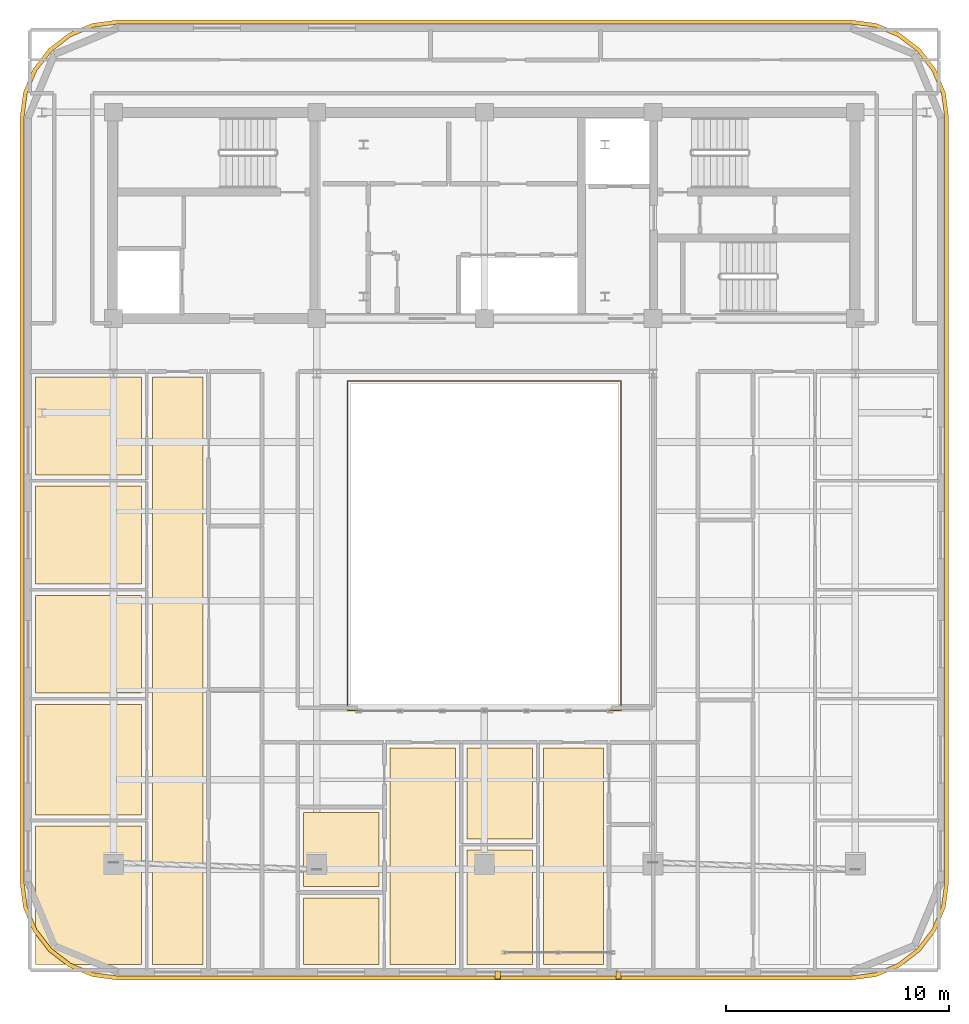
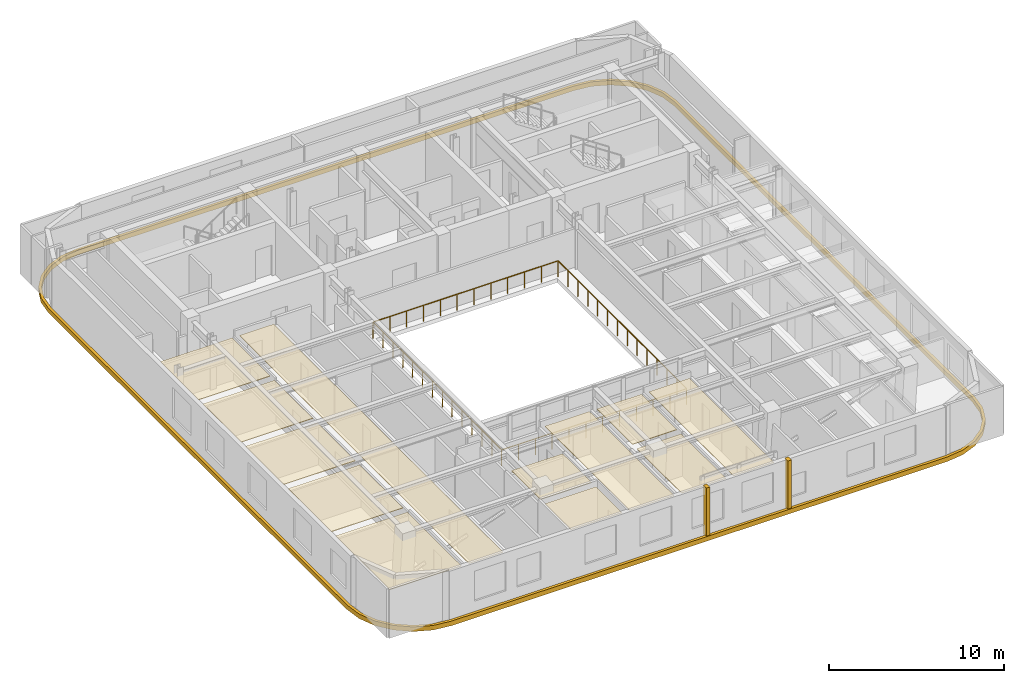
# One storey, part 12 of 14: 15 coverings, 1 railing.
"""IFC4 building model written with IfcOpenShell, lengths in metres."""

import ifcopenshell
import ifcopenshell.guid

model = None  # the IFC model being written
_history = None  # IfcOwnerHistory: only IFC2X3 demands one
_inside = {}  # id of a spatial element -> (the spatial element, [elements in it])
_under = {}  # id of a project, library or spatial element -> (it, [spatial elements below it])
_declared = {}  # id of a project -> (the project, [libraries it declares])
_typed = {}  # id of a type object -> (the type object, [elements of that type])
_made_of = {}  # id of a material, layer set ... -> (it, [elements and type objects made of it])


def new_model(schema):
    """Start an empty IFC model of exactly this schema.

    Asked for "IFC4X3", IfcOpenShell would pick the latest addendum, in which some entities
    have other attributes; the version numbers below select the first issue.
    IFC2X3 requires an IfcOwnerHistory on every rooted entity: one is made here for all.
    """
    global model, _history
    if schema == "IFC4X3":
        model = ifcopenshell.file(schema_version=(4, 3, 0, 0))
    else:
        model = ifcopenshell.file(schema=schema)
    _inside.clear()
    _under.clear()
    _declared.clear()
    _typed.clear()
    _made_of.clear()
    _history = None
    if model.schema == "IFC2X3":
        org = make("IfcOrganization", Name="unknown")
        user = make(
            "IfcPersonAndOrganization",
            ThePerson=make("IfcPerson", FamilyName="unknown"),
            TheOrganization=org,
        )
        app = make(
            "IfcApplication",
            ApplicationDeveloper=org,
            Version="unknown",
            ApplicationFullName="unknown",
            ApplicationIdentifier="unknown",
        )
        _history = make(
            "IfcOwnerHistory",
            OwningUser=user,
            OwningApplication=app,
            ChangeAction="ADDED",
            CreationDate=0,
        )
    return model


def make(cls, **values):
    """One entity of the class cls with the attributes given. An attribute that is None is left unset."""
    return model.create_entity(
        cls, **{name: value for name, value in values.items() if value is not None}
    )


def rooted(cls, **values):
    """An entity with a GlobalId (a new one), such as an element, a storey or a relation."""
    return make(cls, GlobalId=ifcopenshell.guid.new(), OwnerHistory=_history, **values)


def si_unit(unit_type, name, prefix=None):
    """IfcSIUnit, for example si_unit("LENGTHUNIT", "METRE", prefix="MILLI")."""
    return make("IfcSIUnit", UnitType=unit_type, Prefix=prefix, Name=name)


def assignment(units):
    """IfcUnitAssignment: the units of a project."""
    return None if units is None else make("IfcUnitAssignment", Units=units)


def point(xyz):
    """IfcCartesianPoint."""
    return None if xyz is None else make("IfcCartesianPoint", Coordinates=xyz)


def direction(xyz):
    """IfcDirection."""
    return None if xyz is None else make("IfcDirection", DirectionRatios=xyz)


def frame(location, z_axis=None, x_axis=None):
    """IfcAxis2Placement3D, a coordinate frame: its origin and axes. An axis left out is left unset."""
    return make(
        "IfcAxis2Placement3D",
        Location=point(location),
        Axis=direction(z_axis),
        RefDirection=direction(x_axis),
    )


def frame_2d(location, x_axis=None):
    """IfcAxis2Placement2D, a coordinate frame in the plane: its origin and x axis."""
    return make(
        "IfcAxis2Placement2D", Location=point(location), RefDirection=direction(x_axis)
    )


def origin():
    """The frame at (0, 0, 0) with its axes left unset."""
    return frame((0.0, 0.0, 0.0))


def origin_2d():
    """The frame at (0, 0) in the plane with its x axis left unset."""
    return frame_2d((0.0, 0.0))


def place(relative_to, where):
    """IfcLocalPlacement: puts the frame where relative to a parent placement (None: the world)."""
    return make(
        "IfcLocalPlacement", PlacementRelTo=relative_to, RelativePlacement=where
    )


def context(
    kind, dimensions, precision=None, world=None, true_north=None, identifier=None
):
    """IfcGeometricRepresentationContext, for example the 3D "Model" context."""
    return make(
        "IfcGeometricRepresentationContext",
        ContextIdentifier=identifier,
        ContextType=kind,
        CoordinateSpaceDimension=dimensions,
        Precision=precision,
        WorldCoordinateSystem=world,
        TrueNorth=true_north,
    )


def subcontext(parent, identifier, kind, view, scale=None):
    """IfcGeometricRepresentationSubContext, for example "Body" below "Model"."""
    return make(
        "IfcGeometricRepresentationSubContext",
        ContextIdentifier=identifier,
        ContextType=kind,
        ParentContext=parent,
        TargetScale=scale,
        TargetView=view,
    )


def project(units=None, contexts=None):
    """IfcProject with its units and contexts."""
    return rooted(
        "IfcProject",
        Name="project",
        RepresentationContexts=contexts,
        UnitsInContext=assignment(units),
    )


def spatial(cls, under=None, at=None, **own):
    """A site, building, storey or space (cls), placed at a placement, below another one or the project."""
    s = rooted(cls, ObjectPlacement=at, **own)
    if under is not None:
        _under.setdefault(under.id(), (under, []))[1].append(s)
    return s


def polyline(points):
    """IfcPolyline through the points."""
    return make("IfcPolyline", Points=[point(p) for p in points])


def profile(cls, at=None, kind="AREA", **sizes):
    """A parametric profile (cls). Its sizes go by their IFC names, for example OverallWidth=200.0."""
    return make(cls, ProfileType=kind, Position=at, **sizes)


def rectangle(**sizes):
    """IfcRectangleProfileDef."""
    return profile("IfcRectangleProfileDef", **sizes)


def outline(outer, holes=None, kind="AREA"):
    """IfcArbitraryClosedProfileDef: a profile drawn as a closed curve; with holes, ...WithVoids."""
    if holes is None:
        return make("IfcArbitraryClosedProfileDef", ProfileType=kind, OuterCurve=outer)
    return make(
        "IfcArbitraryProfileDefWithVoids",
        ProfileType=kind,
        OuterCurve=outer,
        InnerCurves=holes,
    )


def extrude(swept, where, along, depth):
    """IfcExtrudedAreaSolid: the profile swept, set in the frame where, extruded along a direction by depth."""
    return make(
        "IfcExtrudedAreaSolid",
        SweptArea=swept,
        Position=where,
        ExtrudedDirection=direction(along),
        Depth=depth,
    )


def shape(context_of_items, identifier, shape_type, items):
    """IfcShapeRepresentation: the items that make up one representation, for example the "Body"."""
    return make(
        "IfcShapeRepresentation",
        ContextOfItems=context_of_items,
        RepresentationIdentifier=identifier,
        RepresentationType=shape_type,
        Items=items,
    )


def material(Name=None, Category=None):
    """IfcMaterial."""
    return make("IfcMaterial", Name=Name, Category=Category)


def layer(
    of_material, thickness, ventilated=None, Name=None, Category=None, Priority=None
):
    """IfcMaterialLayer: one layer of a wall or slab, of a material (None: an air gap)."""
    return make(
        "IfcMaterialLayer",
        Material=of_material,
        LayerThickness=thickness,
        IsVentilated=ventilated,
        Name=Name,
        Category=Category,
        Priority=Priority,
    )


def layer_set(layers, Name=None):
    """IfcMaterialLayerSet."""
    return make("IfcMaterialLayerSet", MaterialLayers=layers, LayerSetName=Name)


def made_of(thing, what):
    """Note that an element or type object is made of a material, layer set ...; save() writes the relation."""
    if what is not None:
        _made_of.setdefault(what.id(), (what, []))[1].append(thing)
    return thing


def type_object(cls, material=None, **own):
    """A type object (cls), such as IfcWallType, which elements share."""
    return made_of(rooted(cls, **own), material)


def element(
    cls,
    number,
    at=None,
    inside=None,
    cuts=None,
    type_object=None,
    material=None,
    context=None,
    identifier="Body",
    shape_type=None,
    held_by="IfcProductDefinitionShape",
    body=None,
    shapes=None,
    **own,
):
    """One element of the class cls, such as IfcWall. Its Tag is "e" and its number.

    at: its placement. inside: the storey or other place that contains it. cuts: it is an
    opening in that element (IfcRelVoidsElement). A single representation is given by context,
    identifier, shape_type and body (its items); several are given by shapes. held_by: the class
    of the entity that holds the representations. save() writes the other relations.
    """
    e = rooted(cls, Tag="e%d" % number, ObjectPlacement=at, **own)
    if body is not None:
        shapes = [shape(context, identifier, shape_type, body)]
    if shapes is not None:
        e.Representation = make(held_by, Representations=shapes)
    if inside is not None:
        _inside.setdefault(inside.id(), (inside, []))[1].append(e)
    if cuts is not None:
        rooted(
            "IfcRelVoidsElement", RelatingBuildingElement=cuts, RelatedOpeningElement=e
        )
    if type_object is not None:
        _typed.setdefault(type_object.id(), (type_object, []))[1].append(e)
    return made_of(e, material)


def aggregate(whole, parts):
    """IfcRelAggregates: a whole, such as a stair, and the parts it consists of."""
    return rooted("IfcRelAggregates", RelatingObject=whole, RelatedObjects=parts)


def save(model, path):
    """Write the relations noted so far, then the file.

    IfcRelAggregates (storeys below a building ...), IfcRelContainedInSpatialStructure (elements
    in a storey), IfcRelDefinesByType, IfcRelAssociatesMaterial and IfcRelDeclares: one each for
    every whole, place, type object, material and project.
    """
    for whole, parts in _under.values():
        aggregate(whole, parts)
    for where, things in _inside.values():
        rooted(
            "IfcRelContainedInSpatialStructure",
            RelatedElements=things,
            RelatingStructure=where,
        )
    for kind, things in _typed.values():
        rooted("IfcRelDefinesByType", RelatedObjects=things, RelatingType=kind)
    for what, things in _made_of.values():
        rooted("IfcRelAssociatesMaterial", RelatedObjects=things, RelatingMaterial=what)
    for by, libraries in _declared.values():
        rooted("IfcRelDeclares", RelatingContext=by, RelatedDefinitions=libraries)
    model.write(path)


model = new_model("IFC4")

# Units and contexts
model_context = context("Model", 3, precision=1e-05, world=origin(), true_north=direction((0.0, 1.0)))
body_context = subcontext(model_context, "Body", "Model", "MODEL_VIEW")
ifc_project = project(units=[si_unit("LENGTHUNIT", "METRE"), si_unit("AREAUNIT", "SQUARE_METRE"), si_unit("VOLUMEUNIT", "CUBIC_METRE"), si_unit("PLANEANGLEUNIT", "RADIAN"), si_unit("MASSUNIT", "GRAM", prefix="KILO")], contexts=[model_context])

# Site, building, storey
site_placement = place(None, origin())
site = spatial("IfcSite", under=ifc_project, at=site_placement, CompositionType="ELEMENT")
building_placement = place(site_placement, origin())
building = spatial("IfcBuilding", under=site, at=building_placement, Name="Zarnavel Station Tower", CompositionType="ELEMENT")
storey_placement = place(building_placement, frame((0.0, 0.0, 251.0)))
storey = spatial("IfcBuildingStorey", under=building, at=storey_placement, Name="L68", CompositionType="ELEMENT", Elevation=251.0)

# Coverings
ifc_material_1 = material(Name="Perforated Gypsum and Mineral-Wool Acoustic Ceiling", Category="concrete")
ifc_layer = layer(ifc_material_1, 0.0400390625)
ifc_layer_set = layer_set([ifc_layer], Name="COV_CEIL_ACOUSTIC")
covering_type_1 = type_object("IfcCoveringType", Name="COV_CEIL_ACOUSTIC", PredefinedType="CEILING", material=ifc_layer_set)
covering_1_placement = place(storey_placement, frame((0.0, 0.0, 3.10009765625)))
element("IfcCovering", 1, at=covering_1_placement, inside=storey, type_object=covering_type_1, Name="L68 UW1LV Acoustic Ceiling", PredefinedType="CEILING", context=body_context, shape_type="SweptSolid", body=[
    extrude(outline(polyline([(13.947998046875, -1.090087890625), (16.2099609375, -1.090087890625), (16.2099609375, 25.199951171875), (13.947998046875, 25.199951171875), (13.947998046875, -1.090087890625)])), origin(), (0.0, 0.0, 1.0), 0.039794921875),
])
covering_2_placement = place(storey_placement, frame((0.0, 0.0, 3.10009765625)))
element("IfcCovering", 2, at=covering_2_placement, inside=storey, type_object=covering_type_1, Name="L68 UW1B1 Acoustic Ceiling", PredefinedType="CEILING", context=body_context, shape_type="SweptSolid", body=[
    extrude(outline(polyline([(8.7099609375, -1.090087890625), (13.447998046875, -1.090087890625), (13.447998046875, 5.10693359375), (8.7099609375, 5.10693359375), (8.7099609375, -1.090087890625)])), origin(), (0.0, 0.0, 1.0), 0.039794921875),
])
covering_3_placement = place(storey_placement, frame((0.0, 0.0, 3.10009765625)))
element("IfcCovering", 3, at=covering_3_placement, inside=storey, type_object=covering_type_1, Name="L68 UW1B2 Acoustic Ceiling", PredefinedType="CEILING", context=body_context, shape_type="SweptSolid", body=[
    extrude(outline(polyline([(8.7099609375, 5.60693359375), (13.447998046875, 5.60693359375), (13.447998046875, 10.555908203125), (8.7099609375, 10.555908203125), (8.7099609375, 5.60693359375)])), origin(), (0.0, 0.0, 1.0), 0.039794921875),
])
covering_4_placement = place(storey_placement, frame((0.0, 0.0, 3.10009765625)))
element("IfcCovering", 4, at=covering_4_placement, inside=storey, type_object=covering_type_1, Name="L68 UW1B3 Acoustic Ceiling", PredefinedType="CEILING", context=body_context, shape_type="SweptSolid", body=[
    extrude(outline(polyline([(8.7099609375, 11.055908203125), (13.447998046875, 11.055908203125), (13.447998046875, 15.43701171875), (8.7099609375, 15.43701171875), (8.7099609375, 11.055908203125)])), origin(), (0.0, 0.0, 1.0), 0.039794921875),
])
covering_5_placement = place(storey_placement, frame((0.0, 0.0, 3.10009765625)))
element("IfcCovering", 5, at=covering_5_placement, inside=storey, type_object=covering_type_1, Name="L68 UW1B4 Acoustic Ceiling", PredefinedType="CEILING", context=body_context, shape_type="SweptSolid", body=[
    extrude(outline(polyline([(8.7099609375, 15.93701171875), (13.447998046875, 15.93701171875), (13.447998046875, 20.318115234375), (8.7099609375, 20.318115234375), (8.7099609375, 15.93701171875)])), origin(), (0.0, 0.0, 1.0), 0.039794921875),
])
covering_6_placement = place(storey_placement, frame((0.0, 0.0, 3.10009765625)))
element("IfcCovering", 6, at=covering_6_placement, inside=storey, type_object=covering_type_1, Name="L68 UW1B5 Acoustic Ceiling", PredefinedType="CEILING", context=body_context, shape_type="SweptSolid", body=[
    extrude(outline(polyline([(8.7099609375, 20.818115234375), (13.447998046875, 20.818115234375), (13.447998046875, 25.199951171875), (8.7099609375, 25.199951171875), (8.7099609375, 20.818115234375)])), origin(), (0.0, 0.0, 1.0), 0.039794921875),
])
covering_7_placement = place(storey_placement, frame((0.0, 0.0, 3.10009765625)))
element("IfcCovering", 7, at=covering_7_placement, inside=storey, type_object=covering_type_1, Name="L68 US1ALV Acoustic Ceiling", PredefinedType="CEILING", context=body_context, shape_type="SweptSolid", body=[
    extrude(outline(polyline([(24.575927734375, -1.090087890625), (27.513916015625, -1.090087890625), (27.513916015625, 8.60009765625), (24.575927734375, 8.60009765625), (24.575927734375, -1.090087890625)])), origin(), (0.0, 0.0, 1.0), 0.039794921875),
])
covering_8_placement = place(storey_placement, frame((0.0, 0.0, 3.10009765625)))
element("IfcCovering", 8, at=covering_8_placement, inside=storey, type_object=covering_type_1, Name="L68 US1AB1 Acoustic Ceiling", PredefinedType="CEILING", context=body_context, shape_type="SweptSolid", body=[
    extrude(outline(polyline([(20.699951171875, -1.090087890625), (24.075927734375, -1.090087890625), (24.075927734375, 1.89306640625), (20.699951171875, 1.89306640625), (20.699951171875, -1.090087890625)])), origin(), (0.0, 0.0, 1.0), 0.039794921875),
])
covering_9_placement = place(storey_placement, frame((0.0, 0.0, 3.10009765625)))
element("IfcCovering", 9, at=covering_9_placement, inside=storey, type_object=covering_type_1, Name="L68 US1AKT Acoustic Ceiling", PredefinedType="CEILING", context=body_context, shape_type="SweptSolid", body=[
    extrude(outline(polyline([(20.699951171875, 2.39306640625), (24.075927734375, 2.39306640625), (24.075927734375, 5.716064453125), (20.699951171875, 5.716064453125), (20.699951171875, 2.39306640625)])), origin(), (0.0, 0.0, 1.0), 0.039794921875),
])
covering_10_placement = place(storey_placement, frame((0.0, 0.0, 3.10009765625)))
element("IfcCovering", 10, at=covering_10_placement, inside=storey, type_object=covering_type_1, Name="L68 US1BLV Acoustic Ceiling", PredefinedType="CEILING", context=body_context, shape_type="SweptSolid", body=[
    extrude(outline(polyline([(31.447998046875, -1.090087890625), (34.125, -1.090087890625), (34.125, 8.60009765625), (31.447998046875, 8.60009765625), (31.447998046875, -1.090087890625)])), origin(), (0.0, 0.0, 1.0), 0.039794921875),
])
covering_11_placement = place(storey_placement, frame((0.0, 0.0, 3.10009765625)))
element("IfcCovering", 11, at=covering_11_placement, inside=storey, type_object=covering_type_1, Name="L68 US1BB1 Acoustic Ceiling", PredefinedType="CEILING", context=body_context, shape_type="SweptSolid", body=[
    extrude(outline(polyline([(28.013916015625, -1.090087890625), (30.947998046875, -1.090087890625), (30.947998046875, 4.029052734375), (28.013916015625, 4.029052734375), (28.013916015625, -1.090087890625)])), origin(), (0.0, 0.0, 1.0), 0.039794921875),
])
covering_12_placement = place(storey_placement, frame((0.0, 0.0, 3.10009765625)))
element("IfcCovering", 12, at=covering_12_placement, inside=storey, type_object=covering_type_1, Name="L68 US1BB2 Acoustic Ceiling", PredefinedType="CEILING", context=body_context, shape_type="SweptSolid", body=[
    extrude(outline(polyline([(28.013916015625, 4.529052734375), (30.947998046875, 4.529052734375), (30.947998046875, 8.60009765625), (28.013916015625, 8.60009765625), (28.013916015625, 4.529052734375)])), origin(), (0.0, 0.0, 1.0), 0.039794921875),
])
ifc_material_2 = material(Name="Precast concrete C45/55 (Pale Travertine Slab Band)", Category="masonry")
covering_type_2 = type_object("IfcCoveringType", Name="COV_TRAVERTINE_BAND", PredefinedType="CLADDING", material=ifc_material_2)
covering_13_placement = place(storey_placement, frame((0.0, 0.0, -0.260009765625)))
element("IfcCovering", 13, at=covering_13_placement, inside=storey, type_object=covering_type_2, Name="L68 Pale Travertine Slab-Edge Band", PredefinedType="CLADDING", context=body_context, shape_type="SweptSolid", body=[
    extrude(outline(polyline([(45.199951171875, -1.780029296875), (46.33349609375, -1.630859375), (47.389892578125, -1.193115234375), (48.297119140625, -0.4970703125), (48.9931640625, 0.409912109375), (49.430908203125, 1.46630859375), (49.580078125, 2.60009765625), (49.580078125, 36.800048828125), (49.430908203125, 37.93359375), (48.9931640625, 38.989990234375), (48.297119140625, 39.897216796875), (47.389892578125, 40.59326171875), (46.33349609375, 41.03076171875), (45.199951171875, 41.179931640625), (12.39990234375, 41.179931640625), (11.266357421875, 41.03076171875), (10.2099609375, 40.59326171875), (9.302978515625, 39.897216796875), (8.606689453125, 38.989990234375), (8.169189453125, 37.93359375), (8.02001953125, 36.800048828125), (8.02001953125, 2.60009765625), (8.169189453125, 1.46630859375), (8.606689453125, 0.409912109375), (9.302978515625, -0.4970703125), (10.2099609375, -1.193115234375), (11.266357421875, -1.630859375), (12.39990234375, -1.780029296875), (45.199951171875, -1.780029296875)]), holes=[polyline([(45.199951171875, -1.60009765625), (46.287109375, -1.456787109375), (47.300048828125, -1.037353515625), (48.169921875, -0.369873046875), (48.83740234375, 0.5), (49.2568359375, 1.512939453125), (49.39990234375, 2.60009765625), (49.39990234375, 36.800048828125), (49.2568359375, 37.886962890625), (48.83740234375, 38.89990234375), (48.169921875, 39.769775390625), (47.300048828125, 40.437255859375), (46.287109375, 40.85693359375), (45.199951171875, 41.0), (12.39990234375, 41.0), (11.31298828125, 40.85693359375), (10.300048828125, 40.437255859375), (9.43017578125, 39.769775390625), (8.7626953125, 38.89990234375), (8.343017578125, 37.886962890625), (8.199951171875, 36.800048828125), (8.199951171875, 2.60009765625), (8.343017578125, 1.512939453125), (8.7626953125, 0.5), (9.43017578125, -0.369873046875), (10.300048828125, -1.037353515625), (11.31298828125, -1.456787109375), (12.39990234375, -1.60009765625), (45.199951171875, -1.60009765625)])]), origin(), (0.0, 0.0, 1.0), 0.320068359375),
])
for number, where, z_axis, x_axis, name in (
    (14, (29.39990234375, -1.550048828125, 0.0), (0.0, 0.0, 1.0), (1.0, 0.0, 0.0), "L68 Travertine Portal Loggia Vertical Jog West"),
    (15, (34.800048828125, -1.550048828125, 0.0), (0.0, 0.0, 1.0), (1.0, 0.0, 0.0), "L68 Travertine Portal Loggia Vertical Jog East"),
):
    element("IfcCovering", number, at=place(storey_placement, frame(where, z_axis=z_axis, x_axis=x_axis)), inside=storey, type_object=covering_type_2, Name=name, PredefinedType="CLADDING", context=body_context, shape_type="SweptSolid", body=[
        extrude(rectangle(XDim=0.239990234375, YDim=0.360107421875, at=origin_2d()), origin(), (0.0, 0.0, 1.0), 3.419921875),
    ])

# Railing
ifc_material_3 = material(Name="Painted Steel S355J2 Balustrade", Category="steel")
railing_type = type_object("IfcRailingType", Name="GR_INT_1150", PredefinedType="GUARDRAIL", material=ifc_material_3)
railing_placement = place(storey_placement, frame((22.679931640625, 10.280029296875, 0.0)))
element("IfcRailing", 16, at=railing_placement, inside=storey, type_object=railing_type, Name="L68 Atrium Void Guardrail", PredefinedType="GUARDRAIL", context=body_context, shape_type="SweptSolid", body=[
    extrude(rectangle(XDim=0.048095703125, YDim=0.048095703125, at=origin_2d()), frame((0.001953125, 0.0, 1.1259765625), z_axis=(1.0, 0.0, 0.0), x_axis=(0.0, 1.0, 0.0)), (0.0, 0.0, 1.0), 12.236083984375),
    extrude(rectangle(XDim=0.048095703125, YDim=0.048095703125, at=origin_2d()), frame((12.239990234375, 0.001953125, 1.1259765625), z_axis=(0.0, 1.0, 0.0), x_axis=(-1.0, 0.0, 0.0)), (0.0, 0.0, 1.0), 14.736083984375),
    extrude(rectangle(XDim=0.048095703125, YDim=0.048095703125, at=origin_2d()), frame((12.238037109375, 14.739990234375, 1.1259765625), z_axis=(-1.0, 0.0, 0.0), x_axis=(0.0, -1.0, 0.0)), (0.0, 0.0, 1.0), 12.236083984375),
    extrude(rectangle(XDim=0.048095703125, YDim=0.048095703125, at=origin_2d()), frame((0.0, 14.738037109375, 1.1259765625), z_axis=(0.0, -1.0, 0.0), x_axis=(1.0, 0.0, 0.0)), (0.0, 0.0, 1.0), 14.736083984375),
    extrude(rectangle(XDim=0.0419921875, YDim=0.0419921875, at=origin_2d()), origin(), (0.0, 0.0, 1.0), 1.101806640625),
    extrude(rectangle(XDim=0.0419921875, YDim=0.0419921875, at=origin_2d()), frame((1.11279296875, 0.0, 0.0)), (0.0, 0.0, 1.0), 1.101806640625),
    extrude(rectangle(XDim=0.0419921875, YDim=0.0419921875, at=origin_2d()), frame((2.225341796875, 0.0, 0.0)), (0.0, 0.0, 1.0), 1.101806640625),
    extrude(rectangle(XDim=0.0419921875, YDim=0.0419921875, at=origin_2d()), frame((3.338134765625, 0.0, 0.0)), (0.0, 0.0, 1.0), 1.101806640625),
    extrude(rectangle(XDim=0.0419921875, YDim=0.0419921875, at=origin_2d()), frame((4.450927734375, 0.0, 0.0)), (0.0, 0.0, 1.0), 1.101806640625),
    extrude(rectangle(XDim=0.0419921875, YDim=0.0419921875, at=origin_2d()), frame((5.563720703125, 0.0, 0.0)), (0.0, 0.0, 1.0), 1.101806640625),
    extrude(rectangle(XDim=0.0419921875, YDim=0.0419921875, at=origin_2d()), frame((6.67626953125, 0.0, 0.0)), (0.0, 0.0, 1.0), 1.101806640625),
    extrude(rectangle(XDim=0.0419921875, YDim=0.0419921875, at=origin_2d()), frame((7.7890625, 0.0, 0.0)), (0.0, 0.0, 1.0), 1.101806640625),
    extrude(rectangle(XDim=0.0419921875, YDim=0.0419921875, at=origin_2d()), frame((8.90185546875, 0.0, 0.0)), (0.0, 0.0, 1.0), 1.101806640625),
    extrude(rectangle(XDim=0.0419921875, YDim=0.0419921875, at=origin_2d()), frame((10.0146484375, 0.0, 0.0)), (0.0, 0.0, 1.0), 1.101806640625),
    extrude(rectangle(XDim=0.0419921875, YDim=0.0419921875, at=origin_2d()), frame((11.127197265625, 0.0, 0.0)), (0.0, 0.0, 1.0), 1.101806640625),
    extrude(rectangle(XDim=0.0419921875, YDim=0.0419921875, at=origin_2d()), frame((12.239990234375, 0.0, 0.0)), (0.0, 0.0, 1.0), 1.101806640625),
    extrude(rectangle(XDim=0.0419921875, YDim=0.0419921875, at=origin_2d()), frame((12.239990234375, 1.1337890625, 0.0)), (0.0, 0.0, 1.0), 1.101806640625),
    extrude(rectangle(XDim=0.0419921875, YDim=0.0419921875, at=origin_2d()), frame((12.239990234375, 2.267578125, 0.0)), (0.0, 0.0, 1.0), 1.101806640625),
    extrude(rectangle(XDim=0.0419921875, YDim=0.0419921875, at=origin_2d()), frame((12.239990234375, 3.401611328125, 0.0)), (0.0, 0.0, 1.0), 1.101806640625),
    extrude(rectangle(XDim=0.0419921875, YDim=0.0419921875, at=origin_2d()), frame((12.239990234375, 4.535400390625, 0.0)), (0.0, 0.0, 1.0), 1.101806640625),
    extrude(rectangle(XDim=0.0419921875, YDim=0.0419921875, at=origin_2d()), frame((12.239990234375, 5.669189453125, 0.0)), (0.0, 0.0, 1.0), 1.101806640625),
    extrude(rectangle(XDim=0.0419921875, YDim=0.0419921875, at=origin_2d()), frame((12.239990234375, 6.802978515625, 0.0)), (0.0, 0.0, 1.0), 1.101806640625),
    extrude(rectangle(XDim=0.0419921875, YDim=0.0419921875, at=origin_2d()), frame((12.239990234375, 7.93701171875, 0.0)), (0.0, 0.0, 1.0), 1.101806640625),
    extrude(rectangle(XDim=0.0419921875, YDim=0.0419921875, at=origin_2d()), frame((12.239990234375, 9.07080078125, 0.0)), (0.0, 0.0, 1.0), 1.101806640625),
    extrude(rectangle(XDim=0.0419921875, YDim=0.0419921875, at=origin_2d()), frame((12.239990234375, 10.20458984375, 0.0)), (0.0, 0.0, 1.0), 1.101806640625),
    extrude(rectangle(XDim=0.0419921875, YDim=0.0419921875, at=origin_2d()), frame((12.239990234375, 11.33837890625, 0.0)), (0.0, 0.0, 1.0), 1.101806640625),
    extrude(rectangle(XDim=0.0419921875, YDim=0.0419921875, at=origin_2d()), frame((12.239990234375, 12.472412109375, 0.0)), (0.0, 0.0, 1.0), 1.101806640625),
    extrude(rectangle(XDim=0.0419921875, YDim=0.0419921875, at=origin_2d()), frame((12.239990234375, 13.606201171875, 0.0)), (0.0, 0.0, 1.0), 1.101806640625),
    extrude(rectangle(XDim=0.0419921875, YDim=0.0419921875, at=origin_2d()), frame((12.239990234375, 14.739990234375, 0.0)), (0.0, 0.0, 1.0), 1.101806640625),
    extrude(rectangle(XDim=0.0419921875, YDim=0.0419921875, at=origin_2d()), frame((11.127197265625, 14.739990234375, 0.0)), (0.0, 0.0, 1.0), 1.101806640625),
    extrude(rectangle(XDim=0.0419921875, YDim=0.0419921875, at=origin_2d()), frame((10.0146484375, 14.739990234375, 0.0)), (0.0, 0.0, 1.0), 1.101806640625),
    extrude(rectangle(XDim=0.0419921875, YDim=0.0419921875, at=origin_2d()), frame((8.90185546875, 14.739990234375, 0.0)), (0.0, 0.0, 1.0), 1.101806640625),
    extrude(rectangle(XDim=0.0419921875, YDim=0.0419921875, at=origin_2d()), frame((7.7890625, 14.739990234375, 0.0)), (0.0, 0.0, 1.0), 1.101806640625),
    extrude(rectangle(XDim=0.0419921875, YDim=0.0419921875, at=origin_2d()), frame((6.67626953125, 14.739990234375, 0.0)), (0.0, 0.0, 1.0), 1.101806640625),
    extrude(rectangle(XDim=0.0419921875, YDim=0.0419921875, at=origin_2d()), frame((5.563720703125, 14.739990234375, 0.0)), (0.0, 0.0, 1.0), 1.101806640625),
    extrude(rectangle(XDim=0.0419921875, YDim=0.0419921875, at=origin_2d()), frame((4.450927734375, 14.739990234375, 0.0)), (0.0, 0.0, 1.0), 1.101806640625),
    extrude(rectangle(XDim=0.0419921875, YDim=0.0419921875, at=origin_2d()), frame((3.338134765625, 14.739990234375, 0.0)), (0.0, 0.0, 1.0), 1.101806640625),
    extrude(rectangle(XDim=0.0419921875, YDim=0.0419921875, at=origin_2d()), frame((2.225341796875, 14.739990234375, 0.0)), (0.0, 0.0, 1.0), 1.101806640625),
    extrude(rectangle(XDim=0.0419921875, YDim=0.0419921875, at=origin_2d()), frame((1.11279296875, 14.739990234375, 0.0)), (0.0, 0.0, 1.0), 1.101806640625),
    extrude(rectangle(XDim=0.0419921875, YDim=0.0419921875, at=origin_2d()), frame((0.0, 14.739990234375, 0.0)), (0.0, 0.0, 1.0), 1.101806640625),
    extrude(rectangle(XDim=0.0419921875, YDim=0.0419921875, at=origin_2d()), frame((0.0, 13.606201171875, 0.0)), (0.0, 0.0, 1.0), 1.101806640625),
    extrude(rectangle(XDim=0.0419921875, YDim=0.0419921875, at=origin_2d()), frame((0.0, 12.472412109375, 0.0)), (0.0, 0.0, 1.0), 1.101806640625),
    extrude(rectangle(XDim=0.0419921875, YDim=0.0419921875, at=origin_2d()), frame((0.0, 11.33837890625, 0.0)), (0.0, 0.0, 1.0), 1.101806640625),
    extrude(rectangle(XDim=0.0419921875, YDim=0.0419921875, at=origin_2d()), frame((0.0, 10.20458984375, 0.0)), (0.0, 0.0, 1.0), 1.101806640625),
    extrude(rectangle(XDim=0.0419921875, YDim=0.0419921875, at=origin_2d()), frame((0.0, 9.07080078125, 0.0)), (0.0, 0.0, 1.0), 1.101806640625),
    extrude(rectangle(XDim=0.0419921875, YDim=0.0419921875, at=origin_2d()), frame((0.0, 7.93701171875, 0.0)), (0.0, 0.0, 1.0), 1.101806640625),
    extrude(rectangle(XDim=0.0419921875, YDim=0.0419921875, at=origin_2d()), frame((0.0, 6.802978515625, 0.0)), (0.0, 0.0, 1.0), 1.101806640625),
    extrude(rectangle(XDim=0.0419921875, YDim=0.0419921875, at=origin_2d()), frame((0.0, 5.669189453125, 0.0)), (0.0, 0.0, 1.0), 1.101806640625),
    extrude(rectangle(XDim=0.0419921875, YDim=0.0419921875, at=origin_2d()), frame((0.0, 4.535400390625, 0.0)), (0.0, 0.0, 1.0), 1.101806640625),
    extrude(rectangle(XDim=0.0419921875, YDim=0.0419921875, at=origin_2d()), frame((0.0, 3.401611328125, 0.0)), (0.0, 0.0, 1.0), 1.101806640625),
    extrude(rectangle(XDim=0.0419921875, YDim=0.0419921875, at=origin_2d()), frame((0.0, 2.267578125, 0.0)), (0.0, 0.0, 1.0), 1.101806640625),
    extrude(rectangle(XDim=0.0419921875, YDim=0.0419921875, at=origin_2d()), frame((0.0, 1.1337890625, 0.0)), (0.0, 0.0, 1.0), 1.101806640625),
])

save(model, "model.ifc")
